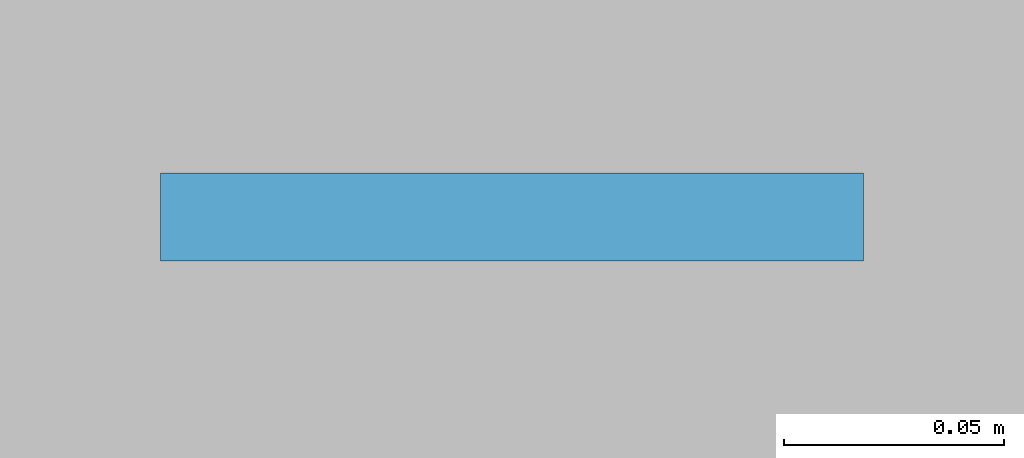
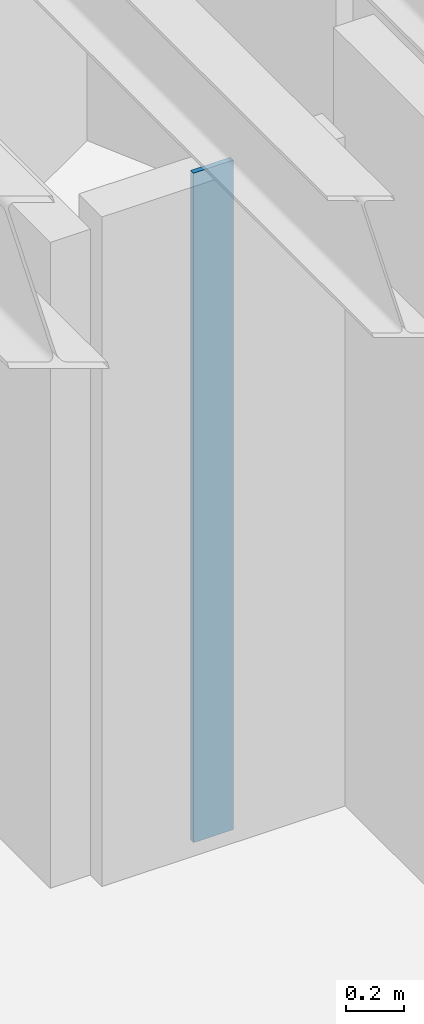
# One storey, part 4 of 12: 1 plate.
"""IFC4 building model written with IfcOpenShell, lengths in metres."""

from ifc_helpers import new_model, si_unit, direction, frame, origin, origin_2d, place, context, subcontext, project, spatial, rectangle, extrude, material, layer, layer_set, type_object, element, save


model = new_model("IFC4")

# Units and contexts
model_context = context("Model", 3, precision=1e-05, world=origin(), true_north=direction((0.0, 1.0)))
body_context = subcontext(model_context, "Body", "Model", "MODEL_VIEW")
ifc_project = project(units=[si_unit("LENGTHUNIT", "METRE"), si_unit("AREAUNIT", "SQUARE_METRE"), si_unit("VOLUMEUNIT", "CUBIC_METRE"), si_unit("PLANEANGLEUNIT", "RADIAN"), si_unit("MASSUNIT", "GRAM", prefix="KILO")], contexts=[model_context])

# Site, building, storey
site_placement = place(None, origin())
site = spatial("IfcSite", under=ifc_project, at=site_placement, CompositionType="ELEMENT")
building_placement = place(site_placement, origin())
building = spatial("IfcBuilding", under=site, at=building_placement, Name="Miruveldt Soraemaru", CompositionType="ELEMENT")
storey_placement = place(building_placement, frame((0.0, 0.0, 103.89990234375)))
storey = spatial("IfcBuildingStorey", under=building, at=storey_placement, Name="L28", CompositionType="ELEMENT", Elevation=103.89990234375)

# Plate
ifc_material = material(Name="Anodised aluminium EN AW-6063 T6", Category="aluminium")
ifc_layer = layer(ifc_material, 0.02001953125, Name="Anodised aluminium EN AW-6063 T6", Category="aluminium")
ifc_layer_set = layer_set([ifc_layer], Name="Anodised aluminium EN AW-6063 T6")
plate_type = type_object("IfcPlateType", Name="PLT-PART-TRIM", PredefinedType="SHEET", material=ifc_layer_set)
plate_placement = place(storey_placement, frame((57.614990234375, 47.7490234375, 0.0), z_axis=(0.0, 0.0, 1.0), x_axis=(-1.0, 0.0, 0.0)))
element("IfcPlate", 1, at=plate_placement, inside=storey, type_object=plate_type, Name="L28 Partition Step Corner Trim Plate 064", PredefinedType="SHEET", context=body_context, shape_type="SweptSolid", body=[
    extrude(rectangle(XDim=0.159912109375, YDim=0.02001953125, at=origin_2d()), origin(), (0.0, 0.0, 1.0), 2.822998046875),
])

save(model, "model.ifc")
